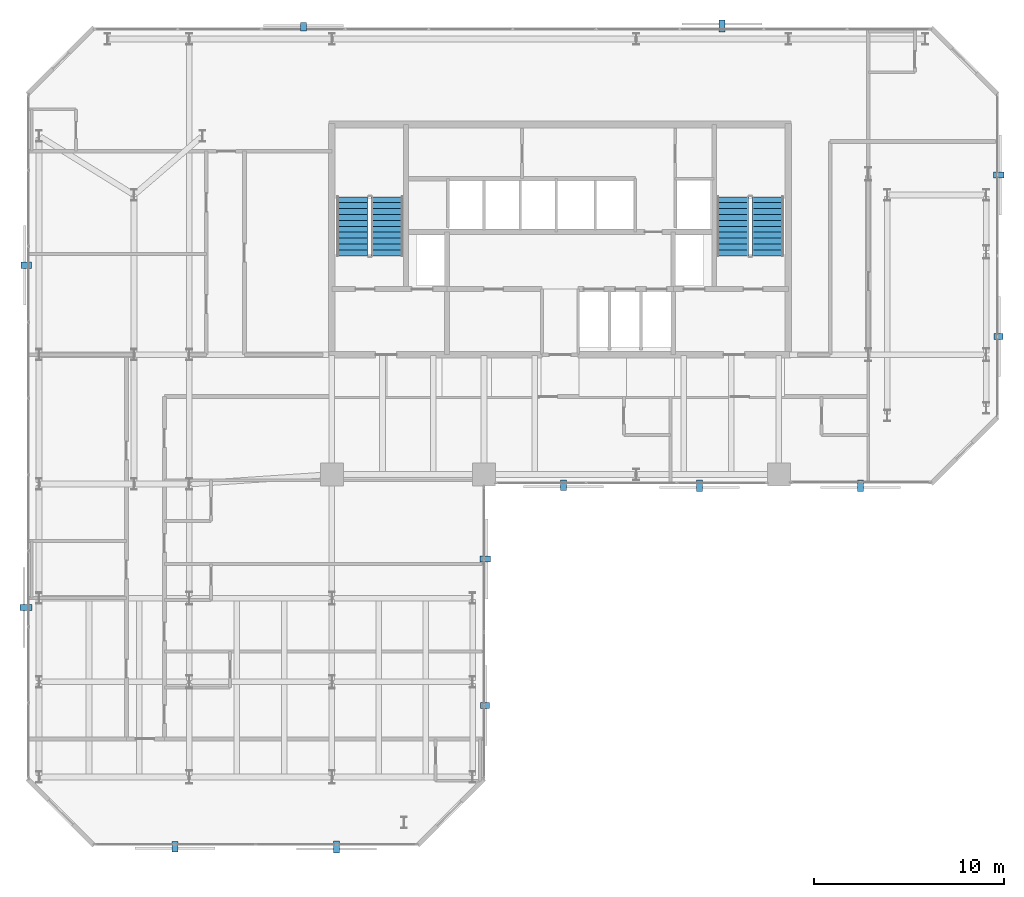
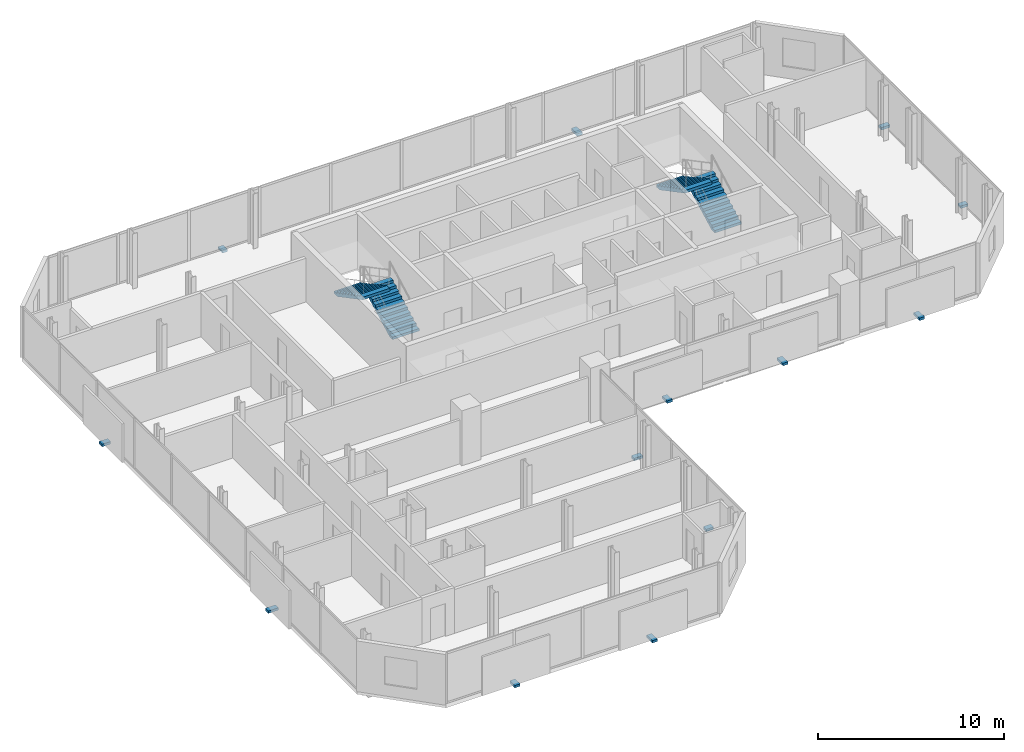
# One storey, part 30 of 32: 13 discrete accessories, 4 stair flights, 2 elements without a shape of their own.
"""IFC4 building model written with IfcOpenShell, lengths in metres."""

from ifc_helpers import new_model, si_unit, direction, frame, origin, origin_2d, place, context, subcontext, project, spatial, polyline, rectangle, outline, extrude, material, type_object, element, aggregate, save


model = new_model("IFC4")

# Units and contexts
model_context = context("Model", 3, precision=1e-05, world=origin(), true_north=direction((0.0, 1.0)))
body_context = subcontext(model_context, "Body", "Model", "MODEL_VIEW")
ifc_project = project(units=[si_unit("LENGTHUNIT", "METRE"), si_unit("AREAUNIT", "SQUARE_METRE"), si_unit("VOLUMEUNIT", "CUBIC_METRE"), si_unit("PLANEANGLEUNIT", "RADIAN"), si_unit("MASSUNIT", "GRAM", prefix="KILO")], contexts=[model_context])

# Site, building, storey
site_placement = place(None, origin())
site = spatial("IfcSite", under=ifc_project, at=site_placement, CompositionType="ELEMENT")
building_placement = place(site_placement, origin())
building = spatial("IfcBuilding", under=site, at=building_placement, Name="Catumbela Crestline Tower", CompositionType="ELEMENT")
storey_placement = place(building_placement, frame((0.0, 0.0, 129.6)))
storey = spatial("IfcBuildingStorey", under=building, at=storey_placement, Name="L33", CompositionType="ELEMENT", Elevation=129.6)

# Stair, stair flights
ifc_material_1 = material(Name="Concrete C45/55", Category="concrete")
stair_type = type_object("IfcStairType", Name="ST-DLG", PredefinedType="HALF_TURN_STAIR", material=ifc_material_1)
stair_1_placement = place(storey_placement, origin())
stair_1 = element("IfcStair", 1, at=stair_1_placement, inside=storey, type_object=stair_type, Name="L33 West Core Pressurised Exit Stair ST-01", PredefinedType="HALF_TURN_STAIR")
stair_flight_type = type_object("IfcStairFlightType", Name="SF-1636", PredefinedType="STRAIGHT", material=ifc_material_1)
stair_flight_1_placement = place(storey_placement, frame((18.92, 36.0, 0.0), z_axis=(0.0, 0.0, 1.0), x_axis=(0.0, 1.0, 0.0)))
stair_flight_1 = element("IfcStairFlight", 2, at=stair_flight_1_placement, type_object=stair_flight_type, Name="ST-01 flight 1", NumberOfRisers=11, NumberOfTreads=10, PredefinedType="STRAIGHT", RiserHeight=0.163636364, TreadLength=0.31, context=body_context, shape_type="SweptSolid", body=[
    extrude(outline(polyline([(0.0, 0.0), (0.0, 0.1636), (0.31, 0.1636), (0.31, 0.3273), (0.62, 0.3273), (0.62, 0.4909), (0.93, 0.4909), (0.93, 0.6545), (1.24, 0.6545), (1.24, 0.8182), (1.55, 0.8182), (1.55, 0.9818), (1.86, 0.9818), (1.86, 1.1455), (2.17, 1.1455), (2.17, 1.3091), (2.48, 1.3091), (2.48, 1.4727), (2.79, 1.4727), (2.79, 1.6364), (3.1, 1.6364), (3.1, 1.8), (3.1, 1.4554), (0.3427, 0.0), (0.0, 0.0)])), frame((0.0, 0.83, 0.0), z_axis=(0.0, -1.0, 0.0), x_axis=(1.0, 0.0, 0.0)), (0.0, 0.0, 1.0), 1.66),
])
stair_flight_2_placement = place(storey_placement, frame((17.08, 39.1, 1.8), z_axis=(0.0, 0.0, 1.0), x_axis=(0.0, -1.0, 0.0)))
stair_flight_2 = element("IfcStairFlight", 3, at=stair_flight_2_placement, type_object=stair_flight_type, Name="ST-01 flight 2", NumberOfRisers=11, NumberOfTreads=10, PredefinedType="STRAIGHT", RiserHeight=0.163636364, TreadLength=0.31, context=body_context, shape_type="SweptSolid", body=[
    extrude(outline(polyline([(0.0, 0.0), (0.0, 0.1636), (0.31, 0.1636), (0.31, 0.3273), (0.62, 0.3273), (0.62, 0.4909), (0.93, 0.4909), (0.93, 0.6545), (1.24, 0.6545), (1.24, 0.8182), (1.55, 0.8182), (1.55, 0.9818), (1.86, 0.9818), (1.86, 1.1455), (2.17, 1.1455), (2.17, 1.3091), (2.48, 1.3091), (2.48, 1.4727), (2.79, 1.4727), (2.79, 1.6364), (3.1, 1.6364), (3.1, 1.8), (3.1, 1.4554), (0.3427, 0.0), (0.0, 0.0)])), frame((0.0, 0.83, 0.0), z_axis=(0.0, -1.0, 0.0), x_axis=(1.0, 0.0, 0.0)), (0.0, 0.0, 1.0), 1.66),
])
aggregate(stair_1, [stair_flight_1, stair_flight_2])

stair_2_placement = place(storey_placement, origin())
stair_2 = element("IfcStair", 4, at=stair_2_placement, inside=storey, type_object=stair_type, Name="L33 East Core Pressurised Exit Stair ST-02", PredefinedType="HALF_TURN_STAIR")
stair_flight_3_placement = place(storey_placement, frame((38.92, 36.0, 0.0), z_axis=(0.0, 0.0, 1.0), x_axis=(0.0, 1.0, 0.0)))
stair_flight_3 = element("IfcStairFlight", 5, at=stair_flight_3_placement, type_object=stair_flight_type, Name="ST-02 flight 1", NumberOfRisers=11, NumberOfTreads=10, PredefinedType="STRAIGHT", RiserHeight=0.163636364, TreadLength=0.31, context=body_context, shape_type="SweptSolid", body=[
    extrude(outline(polyline([(0.0, 0.0), (0.0, 0.1636), (0.31, 0.1636), (0.31, 0.3273), (0.62, 0.3273), (0.62, 0.4909), (0.93, 0.4909), (0.93, 0.6545), (1.24, 0.6545), (1.24, 0.8182), (1.55, 0.8182), (1.55, 0.9818), (1.86, 0.9818), (1.86, 1.1455), (2.17, 1.1455), (2.17, 1.3091), (2.48, 1.3091), (2.48, 1.4727), (2.79, 1.4727), (2.79, 1.6364), (3.1, 1.6364), (3.1, 1.8), (3.1, 1.4554), (0.3427, 0.0), (0.0, 0.0)])), frame((0.0, 0.83, 0.0), z_axis=(0.0, -1.0, 0.0), x_axis=(1.0, 0.0, 0.0)), (0.0, 0.0, 1.0), 1.66),
])
stair_flight_4_placement = place(storey_placement, frame((37.08, 39.1, 1.8), z_axis=(0.0, 0.0, 1.0), x_axis=(0.0, -1.0, 0.0)))
stair_flight_4 = element("IfcStairFlight", 6, at=stair_flight_4_placement, type_object=stair_flight_type, Name="ST-02 flight 2", NumberOfRisers=11, NumberOfTreads=10, PredefinedType="STRAIGHT", RiserHeight=0.163636364, TreadLength=0.31, context=body_context, shape_type="SweptSolid", body=[
    extrude(outline(polyline([(0.0, 0.0), (0.0, 0.1636), (0.31, 0.1636), (0.31, 0.3273), (0.62, 0.3273), (0.62, 0.4909), (0.93, 0.4909), (0.93, 0.6545), (1.24, 0.6545), (1.24, 0.8182), (1.55, 0.8182), (1.55, 0.9818), (1.86, 0.9818), (1.86, 1.1455), (2.17, 1.1455), (2.17, 1.3091), (2.48, 1.3091), (2.48, 1.4727), (2.79, 1.4727), (2.79, 1.6364), (3.1, 1.6364), (3.1, 1.8), (3.1, 1.4554), (0.3427, 0.0), (0.0, 0.0)])), frame((0.0, 0.83, 0.0), z_axis=(0.0, -1.0, 0.0), x_axis=(1.0, 0.0, 0.0)), (0.0, 0.0, 1.0), 1.66),
])
aggregate(stair_2, [stair_flight_3, stair_flight_4])

# Discrete accessories
ifc_material_2 = material(Name="Stainless steel EN 1.4401", Category="steel")
discrete_accessory_type = type_object("IfcDiscreteAccessoryType", Name="BK-SS1", PredefinedType="BRACKET", material=ifc_material_2)
discrete_accessory_1_placement = place(storey_placement, frame((7.75, 4.935, -0.18), z_axis=(0.0, 0.0, 1.0), x_axis=(1.0, 0.0, 0.0)))
element("IfcDiscreteAccessory", 7, at=discrete_accessory_1_placement, inside=storey, type_object=discrete_accessory_type, Name="L33 Solar Screen Stainless Bracket 354", PredefinedType="BRACKET", context=body_context, shape_type="SweptSolid", body=[
    extrude(rectangle(XDim=0.32, YDim=0.54, at=origin_2d()), origin(), (0.0, 0.0, 1.0), 0.16),
])
discrete_accessory_2_placement = place(storey_placement, frame((16.25, 4.915, -0.18), z_axis=(0.0, 0.0, 1.0), x_axis=(1.0, 0.0, 0.0)))
element("IfcDiscreteAccessory", 8, at=discrete_accessory_2_placement, inside=storey, type_object=discrete_accessory_type, Name="L33 Solar Screen Stainless Bracket 355", PredefinedType="BRACKET", context=body_context, shape_type="SweptSolid", body=[
    extrude(rectangle(XDim=0.32, YDim=0.62, at=origin_2d()), origin(), (0.0, 0.0, 1.0), 0.16),
])
discrete_accessory_3_placement = place(storey_placement, frame((24.045, 12.35, -0.18), z_axis=(0.0, 0.0, 1.0), x_axis=(0.0, 1.0, 0.0)))
element("IfcDiscreteAccessory", 9, at=discrete_accessory_3_placement, inside=storey, type_object=discrete_accessory_type, Name="L33 Solar Screen Stainless Bracket 356", PredefinedType="BRACKET", context=body_context, shape_type="SweptSolid", body=[
    extrude(rectangle(XDim=0.32, YDim=0.46, at=origin_2d()), origin(), (0.0, 0.0, 1.0), 0.16),
])
for number, where, z_axis, x_axis, name in (
    (10, (24.065, 20.05, -0.18), (0.0, 0.0, 1.0), (0.0, 1.0, 0.0), "L33 Solar Screen Stainless Bracket 357"),
    (11, (28.175, 23.935, -0.18), (0.0, 0.0, 1.0), (1.0, 0.0, 0.0), "L33 Solar Screen Stainless Bracket 358"),
):
    element("IfcDiscreteAccessory", number, at=place(storey_placement, frame(where, z_axis=z_axis, x_axis=x_axis)), inside=storey, type_object=discrete_accessory_type, Name=name, PredefinedType="BRACKET", context=body_context, shape_type="SweptSolid", body=[
        extrude(rectangle(XDim=0.32, YDim=0.54, at=origin_2d()), origin(), (0.0, 0.0, 1.0), 0.16),
    ])
for number, where, z_axis, x_axis, name in (
    (12, (35.325, 23.915, -0.18), (0.0, 0.0, 1.0), (1.0, 0.0, 0.0), "L33 Solar Screen Stainless Bracket 359"),
    (13, (43.8, 23.915, -0.18), (0.0, 0.0, 1.0), (1.0, 0.0, 0.0), "L33 Solar Screen Stainless Bracket 360"),
):
    element("IfcDiscreteAccessory", number, at=place(storey_placement, frame(where, z_axis=z_axis, x_axis=x_axis)), inside=storey, type_object=discrete_accessory_type, Name=name, PredefinedType="BRACKET", context=body_context, shape_type="SweptSolid", body=[
        extrude(rectangle(XDim=0.32, YDim=0.62, at=origin_2d()), origin(), (0.0, 0.0, 1.0), 0.16),
    ])
discrete_accessory_4_placement = place(storey_placement, frame((51.045, 31.75, -0.18), z_axis=(0.0, 0.0, 1.0), x_axis=(0.0, 1.0, 0.0)))
element("IfcDiscreteAccessory", 14, at=discrete_accessory_4_placement, inside=storey, type_object=discrete_accessory_type, Name="L33 Solar Screen Stainless Bracket 361", PredefinedType="BRACKET", context=body_context, shape_type="SweptSolid", body=[
    extrude(rectangle(XDim=0.32, YDim=0.46, at=origin_2d()), origin(), (0.0, 0.0, 1.0), 0.16),
])
discrete_accessory_5_placement = place(storey_placement, frame((51.065, 40.25, -0.18), z_axis=(0.0, 0.0, 1.0), x_axis=(0.0, 1.0, 0.0)))
element("IfcDiscreteAccessory", 15, at=discrete_accessory_5_placement, inside=storey, type_object=discrete_accessory_type, Name="L33 Solar Screen Stainless Bracket 362", PredefinedType="BRACKET", context=body_context, shape_type="SweptSolid", body=[
    extrude(rectangle(XDim=0.32, YDim=0.54, at=origin_2d()), origin(), (0.0, 0.0, 1.0), 0.16),
])
discrete_accessory_6_placement = place(storey_placement, frame((36.5, 48.085, -0.18), z_axis=(0.0, 0.0, 1.0), x_axis=(-1.0, 0.0, 0.0)))
element("IfcDiscreteAccessory", 16, at=discrete_accessory_6_placement, inside=storey, type_object=discrete_accessory_type, Name="L33 Solar Screen Stainless Bracket 363", PredefinedType="BRACKET", context=body_context, shape_type="SweptSolid", body=[
    extrude(rectangle(XDim=0.32, YDim=0.62, at=origin_2d()), origin(), (0.0, 0.0, 1.0), 0.16),
])
discrete_accessory_7_placement = place(storey_placement, frame((14.5, 48.045, -0.18), z_axis=(0.0, 0.0, 1.0), x_axis=(-1.0, 0.0, 0.0)))
element("IfcDiscreteAccessory", 17, at=discrete_accessory_7_placement, inside=storey, type_object=discrete_accessory_type, Name="L33 Solar Screen Stainless Bracket 364", PredefinedType="BRACKET", context=body_context, shape_type="SweptSolid", body=[
    extrude(rectangle(XDim=0.32, YDim=0.46, at=origin_2d()), origin(), (0.0, 0.0, 1.0), 0.16),
])
discrete_accessory_8_placement = place(storey_placement, frame((-0.065, 35.5, -0.18), z_axis=(0.0, 0.0, 1.0), x_axis=(0.0, -1.0, 0.0)))
element("IfcDiscreteAccessory", 18, at=discrete_accessory_8_placement, inside=storey, type_object=discrete_accessory_type, Name="L33 Solar Screen Stainless Bracket 365", PredefinedType="BRACKET", context=body_context, shape_type="SweptSolid", body=[
    extrude(rectangle(XDim=0.32, YDim=0.54, at=origin_2d()), origin(), (0.0, 0.0, 1.0), 0.16),
])
discrete_accessory_9_placement = place(storey_placement, frame((-0.085, 17.5, -0.18), z_axis=(0.0, 0.0, 1.0), x_axis=(0.0, -1.0, 0.0)))
element("IfcDiscreteAccessory", 19, at=discrete_accessory_9_placement, inside=storey, type_object=discrete_accessory_type, Name="L33 Solar Screen Stainless Bracket 366", PredefinedType="BRACKET", context=body_context, shape_type="SweptSolid", body=[
    extrude(rectangle(XDim=0.32, YDim=0.62, at=origin_2d()), origin(), (0.0, 0.0, 1.0), 0.16),
])

save(model, "model.ifc")
